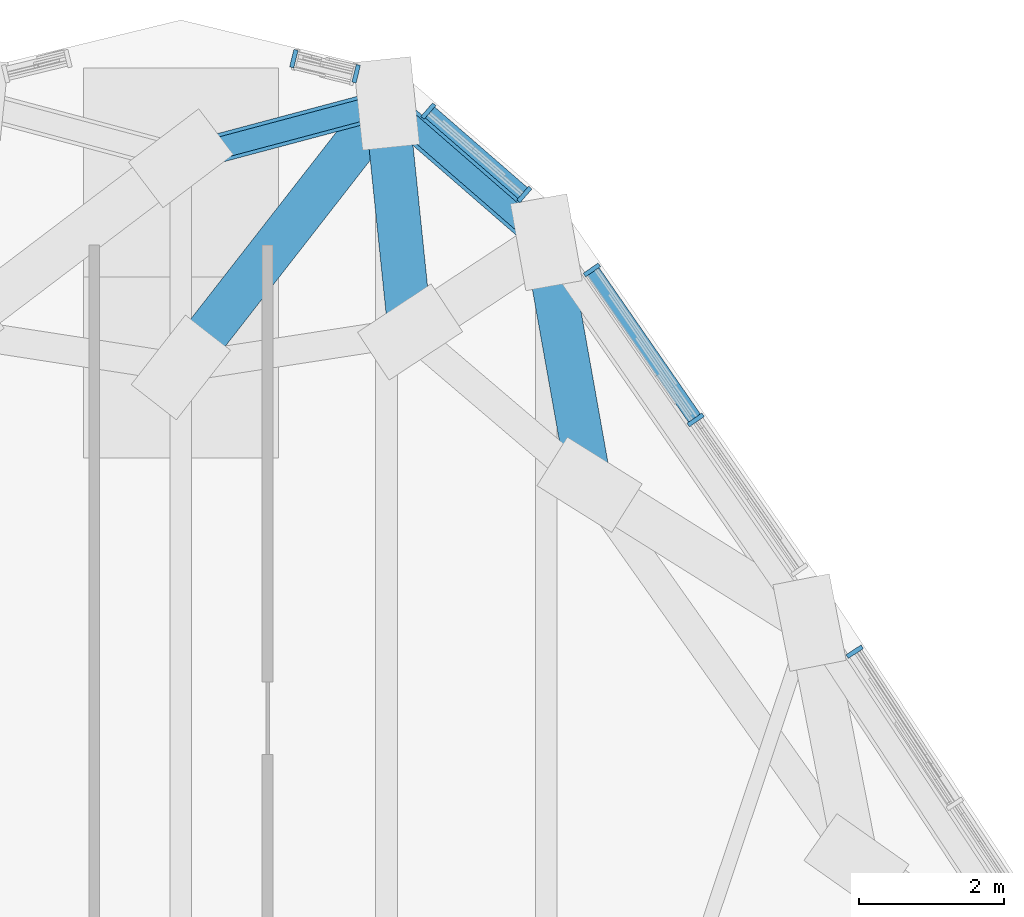
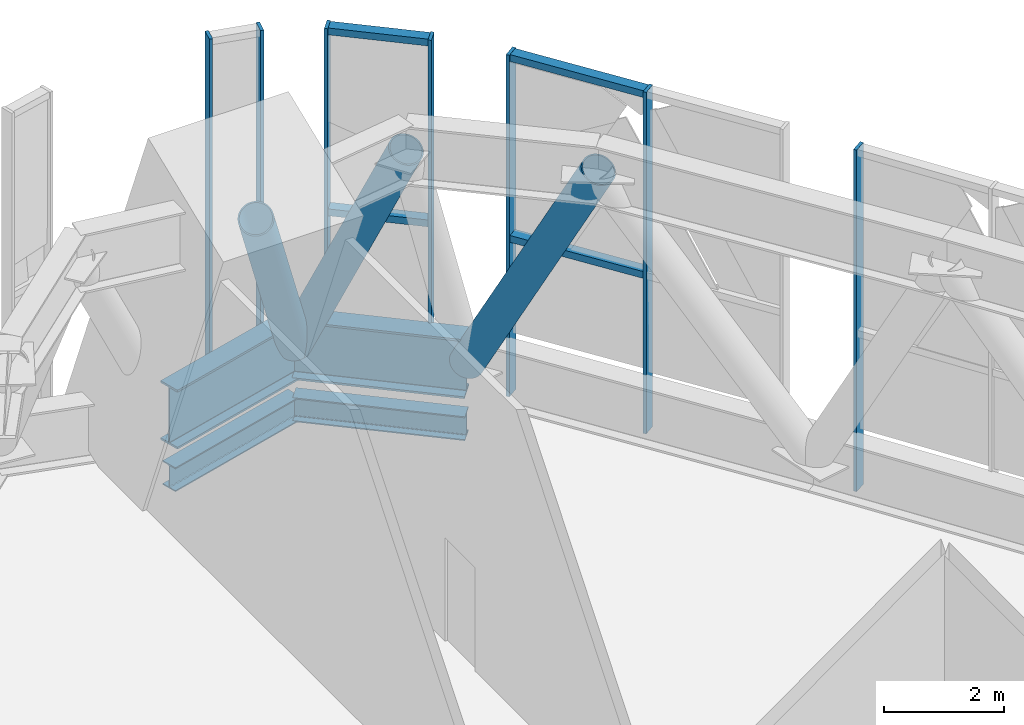
# One storey, part 10 of 33: 16 members, 2 beams, 2 elements without a shape of their own.
"""IFC4 building model written with IfcOpenShell, lengths in metres."""

import ifcopenshell
import ifcopenshell.guid

model = None  # the IFC model being written
_history = None  # IfcOwnerHistory: only IFC2X3 demands one
_inside = {}  # id of a spatial element -> (the spatial element, [elements in it])
_under = {}  # id of a project, library or spatial element -> (it, [spatial elements below it])
_declared = {}  # id of a project -> (the project, [libraries it declares])
_typed = {}  # id of a type object -> (the type object, [elements of that type])
_made_of = {}  # id of a material, layer set ... -> (it, [elements and type objects made of it])


def new_model(schema):
    """Start an empty IFC model of exactly this schema.

    Asked for "IFC4X3", IfcOpenShell would pick the latest addendum, in which some entities
    have other attributes; the version numbers below select the first issue.
    IFC2X3 requires an IfcOwnerHistory on every rooted entity: one is made here for all.
    """
    global model, _history
    if schema == "IFC4X3":
        model = ifcopenshell.file(schema_version=(4, 3, 0, 0))
    else:
        model = ifcopenshell.file(schema=schema)
    _inside.clear()
    _under.clear()
    _declared.clear()
    _typed.clear()
    _made_of.clear()
    _history = None
    if model.schema == "IFC2X3":
        org = make("IfcOrganization", Name="unknown")
        user = make(
            "IfcPersonAndOrganization",
            ThePerson=make("IfcPerson", FamilyName="unknown"),
            TheOrganization=org,
        )
        app = make(
            "IfcApplication",
            ApplicationDeveloper=org,
            Version="unknown",
            ApplicationFullName="unknown",
            ApplicationIdentifier="unknown",
        )
        _history = make(
            "IfcOwnerHistory",
            OwningUser=user,
            OwningApplication=app,
            ChangeAction="ADDED",
            CreationDate=0,
        )
    return model


def make(cls, **values):
    """One entity of the class cls with the attributes given. An attribute that is None is left unset."""
    return model.create_entity(
        cls, **{name: value for name, value in values.items() if value is not None}
    )


def rooted(cls, **values):
    """An entity with a GlobalId (a new one), such as an element, a storey or a relation."""
    return make(cls, GlobalId=ifcopenshell.guid.new(), OwnerHistory=_history, **values)


def si_unit(unit_type, name, prefix=None):
    """IfcSIUnit, for example si_unit("LENGTHUNIT", "METRE", prefix="MILLI")."""
    return make("IfcSIUnit", UnitType=unit_type, Prefix=prefix, Name=name)


def assignment(units):
    """IfcUnitAssignment: the units of a project."""
    return None if units is None else make("IfcUnitAssignment", Units=units)


def point(xyz):
    """IfcCartesianPoint."""
    return None if xyz is None else make("IfcCartesianPoint", Coordinates=xyz)


def direction(xyz):
    """IfcDirection."""
    return None if xyz is None else make("IfcDirection", DirectionRatios=xyz)


def frame(location, z_axis=None, x_axis=None):
    """IfcAxis2Placement3D, a coordinate frame: its origin and axes. An axis left out is left unset."""
    return make(
        "IfcAxis2Placement3D",
        Location=point(location),
        Axis=direction(z_axis),
        RefDirection=direction(x_axis),
    )


def frame_2d(location, x_axis=None):
    """IfcAxis2Placement2D, a coordinate frame in the plane: its origin and x axis."""
    return make(
        "IfcAxis2Placement2D", Location=point(location), RefDirection=direction(x_axis)
    )


def origin():
    """The frame at (0, 0, 0) with its axes left unset."""
    return frame((0.0, 0.0, 0.0))


def origin_2d():
    """The frame at (0, 0) in the plane with its x axis left unset."""
    return frame_2d((0.0, 0.0))


def place(relative_to, where):
    """IfcLocalPlacement: puts the frame where relative to a parent placement (None: the world)."""
    return make(
        "IfcLocalPlacement", PlacementRelTo=relative_to, RelativePlacement=where
    )


def context(
    kind, dimensions, precision=None, world=None, true_north=None, identifier=None
):
    """IfcGeometricRepresentationContext, for example the 3D "Model" context."""
    return make(
        "IfcGeometricRepresentationContext",
        ContextIdentifier=identifier,
        ContextType=kind,
        CoordinateSpaceDimension=dimensions,
        Precision=precision,
        WorldCoordinateSystem=world,
        TrueNorth=true_north,
    )


def subcontext(parent, identifier, kind, view, scale=None):
    """IfcGeometricRepresentationSubContext, for example "Body" below "Model"."""
    return make(
        "IfcGeometricRepresentationSubContext",
        ContextIdentifier=identifier,
        ContextType=kind,
        ParentContext=parent,
        TargetScale=scale,
        TargetView=view,
    )


def project(units=None, contexts=None):
    """IfcProject with its units and contexts."""
    return rooted(
        "IfcProject",
        Name="project",
        RepresentationContexts=contexts,
        UnitsInContext=assignment(units),
    )


def spatial(cls, under=None, at=None, **own):
    """A site, building, storey or space (cls), placed at a placement, below another one or the project."""
    s = rooted(cls, ObjectPlacement=at, **own)
    if under is not None:
        _under.setdefault(under.id(), (under, []))[1].append(s)
    return s


def profile(cls, at=None, kind="AREA", **sizes):
    """A parametric profile (cls). Its sizes go by their IFC names, for example OverallWidth=200.0."""
    return make(cls, ProfileType=kind, Position=at, **sizes)


def rectangle(**sizes):
    """IfcRectangleProfileDef."""
    return profile("IfcRectangleProfileDef", **sizes)


def hollow_circle(**sizes):
    """IfcCircleHollowProfileDef."""
    return profile("IfcCircleHollowProfileDef", **sizes)


def i_section(**sizes):
    """IfcIShapeProfileDef."""
    return profile("IfcIShapeProfileDef", **sizes)


def extrude(swept, where, along, depth):
    """IfcExtrudedAreaSolid: the profile swept, set in the frame where, extruded along a direction by depth."""
    return make(
        "IfcExtrudedAreaSolid",
        SweptArea=swept,
        Position=where,
        ExtrudedDirection=direction(along),
        Depth=depth,
    )


def shape(context_of_items, identifier, shape_type, items):
    """IfcShapeRepresentation: the items that make up one representation, for example the "Body"."""
    return make(
        "IfcShapeRepresentation",
        ContextOfItems=context_of_items,
        RepresentationIdentifier=identifier,
        RepresentationType=shape_type,
        Items=items,
    )


def material(Name=None, Category=None):
    """IfcMaterial."""
    return make("IfcMaterial", Name=Name, Category=Category)


def material_profile(
    of_material, cross_section, Name=None, Category=None, Priority=None
):
    """IfcMaterialProfile: a cross section and its material."""
    return make(
        "IfcMaterialProfile",
        Name=Name,
        Material=of_material,
        Profile=cross_section,
        Priority=Priority,
        Category=Category,
    )


def profile_set(profiles, Name=None, composite=None):
    """IfcMaterialProfileSet."""
    return make(
        "IfcMaterialProfileSet",
        Name=Name,
        MaterialProfiles=profiles,
        CompositeProfile=composite,
    )


def made_of(thing, what):
    """Note that an element or type object is made of a material, layer set ...; save() writes the relation."""
    if what is not None:
        _made_of.setdefault(what.id(), (what, []))[1].append(thing)
    return thing


def type_object(cls, material=None, **own):
    """A type object (cls), such as IfcWallType, which elements share."""
    return made_of(rooted(cls, **own), material)


def element(
    cls,
    number,
    at=None,
    inside=None,
    cuts=None,
    type_object=None,
    material=None,
    context=None,
    identifier="Body",
    shape_type=None,
    held_by="IfcProductDefinitionShape",
    body=None,
    shapes=None,
    **own,
):
    """One element of the class cls, such as IfcWall. Its Tag is "e" and its number.

    at: its placement. inside: the storey or other place that contains it. cuts: it is an
    opening in that element (IfcRelVoidsElement). A single representation is given by context,
    identifier, shape_type and body (its items); several are given by shapes. held_by: the class
    of the entity that holds the representations. save() writes the other relations.
    """
    e = rooted(cls, Tag="e%d" % number, ObjectPlacement=at, **own)
    if body is not None:
        shapes = [shape(context, identifier, shape_type, body)]
    if shapes is not None:
        e.Representation = make(held_by, Representations=shapes)
    if inside is not None:
        _inside.setdefault(inside.id(), (inside, []))[1].append(e)
    if cuts is not None:
        rooted(
            "IfcRelVoidsElement", RelatingBuildingElement=cuts, RelatedOpeningElement=e
        )
    if type_object is not None:
        _typed.setdefault(type_object.id(), (type_object, []))[1].append(e)
    return made_of(e, material)


def aggregate(whole, parts):
    """IfcRelAggregates: a whole, such as a stair, and the parts it consists of."""
    return rooted("IfcRelAggregates", RelatingObject=whole, RelatedObjects=parts)


def save(model, path):
    """Write the relations noted so far, then the file.

    IfcRelAggregates (storeys below a building ...), IfcRelContainedInSpatialStructure (elements
    in a storey), IfcRelDefinesByType, IfcRelAssociatesMaterial and IfcRelDeclares: one each for
    every whole, place, type object, material and project.
    """
    for whole, parts in _under.values():
        aggregate(whole, parts)
    for where, things in _inside.values():
        rooted(
            "IfcRelContainedInSpatialStructure",
            RelatedElements=things,
            RelatingStructure=where,
        )
    for kind, things in _typed.values():
        rooted("IfcRelDefinesByType", RelatedObjects=things, RelatingType=kind)
    for what, things in _made_of.values():
        rooted("IfcRelAssociatesMaterial", RelatedObjects=things, RelatingMaterial=what)
    for by, libraries in _declared.values():
        rooted("IfcRelDeclares", RelatingContext=by, RelatedDefinitions=libraries)
    model.write(path)


model = new_model("IFC4")

# Units and contexts
model_context = context("Model", 3, precision=1e-05, world=origin(), true_north=direction((0.0, 1.0)))
body_context = subcontext(model_context, "Body", "Model", "MODEL_VIEW")
ifc_project = project(units=[si_unit("LENGTHUNIT", "METRE"), si_unit("AREAUNIT", "SQUARE_METRE"), si_unit("VOLUMEUNIT", "CUBIC_METRE"), si_unit("PLANEANGLEUNIT", "RADIAN"), si_unit("MASSUNIT", "GRAM", prefix="KILO")], contexts=[model_context])

# Site, building, storey
site_placement = place(None, origin())
site = spatial("IfcSite", under=ifc_project, at=site_placement, CompositionType="ELEMENT")
building_placement = place(site_placement, origin())
building = spatial("IfcBuilding", under=site, at=building_placement, Name="Mestral Congress Tower", CompositionType="ELEMENT")
storey_placement = place(building_placement, frame((0.0, 0.0, 134.39990234375)))
storey = spatial("IfcBuildingStorey", under=building, at=storey_placement, Name="L32", CompositionType="ELEMENT", Elevation=134.39990234375)

# Members
ifc_material_1 = material(Name="Steel S355", Category="steel")
ifc_material_profile_1 = material_profile(ifc_material_1, i_section(OverallWidth=0.39990234375, OverallDepth=1.199951171875, WebThickness=0.02001953125, FlangeThickness=0.0400390625, FilletRadius=0.010009765625, at=origin_2d()), Name="WPG 1200")
ifc_profile_set_1 = profile_set([ifc_material_profile_1], Name="Steel S355")
member_type_1 = type_object("IfcMemberType", Name="Belt chord WPG 1200 S355", PredefinedType="CHORD", material=ifc_profile_set_1)
member_1_placement = place(storey_placement, frame((5.056396484375, 32.4365234375, 0.60009765625), z_axis=(-0.754932095534, 0.6558029667, 0.0), x_axis=(-0.6558029667, -0.754932095534, 0.0)))
element("IfcMember", 1, at=member_1_placement, inside=storey, type_object=member_type_1, Name="MB-L32-BC2-E08", PredefinedType="CHORD", context=body_context, shape_type="SweptSolid", body=[
    extrude(i_section(OverallWidth=0.39990234375, OverallDepth=1.199951171875, WebThickness=0.02001953125, FlangeThickness=0.0400390625, FilletRadius=0.010009765625, at=origin_2d()), origin(), (0.0, 0.0, 1.0), 2.92822265625),
])
member_2_placement = place(storey_placement, frame((2.845703125, 34.35693359375, 0.60009765625), z_axis=(-0.96626107679, -0.257564616128, 0.0), x_axis=(0.257564616128, -0.96626107679, 0.0)))
element("IfcMember", 2, at=member_2_placement, inside=storey, type_object=member_type_1, Name="MB-L32-BC2-N1", PredefinedType="CHORD", context=body_context, shape_type="SweptSolid", body=[
    extrude(i_section(OverallWidth=0.39990234375, OverallDepth=1.199951171875, WebThickness=0.02001953125, FlangeThickness=0.0400390625, FilletRadius=0.010009765625, at=origin_2d()), origin(), (0.0, 0.0, 1.0), 2.945068359375),
])
ifc_material_profile_2 = material_profile(ifc_material_1, hollow_circle(Radius=0.304931640625, WallThickness=0.02490234375, at=origin_2d()), Name="CHS 610x25")
ifc_profile_set_2 = profile_set([ifc_material_profile_2], Name="Steel S355")
member_type_2 = type_object("IfcMemberType", Name="Belt diagonal CHS 610x25 S355", PredefinedType="BRACE", material=ifc_profile_set_2)
member_3_placement = place(storey_placement, frame((5.056396484375, 32.4365234375, 0.60009765625), z_axis=(0.0894475391, -0.502023856645, 0.860215778225), x_axis=(0.984495232552, 0.175411336815, 0.0)))
element("IfcMember", 3, at=member_3_placement, inside=storey, type_object=member_type_2, Name="MD-L32-BD2-E08.E07", PredefinedType="BRACE", context=body_context, shape_type="SweptSolid", body=[
    extrude(hollow_circle(Radius=0.304931640625, WallThickness=0.02490234375, at=origin_2d()), origin(), (0.0, 0.0, 1.0), 6.684326171875),
])
member_4_placement = place(storey_placement, frame((2.845703125, 34.35693359375, 0.60009765625), z_axis=(0.049568940707, -0.48130921213, 0.875148194557), x_axis=(0.994738581282, 0.102445863308, 0.0)))
element("IfcMember", 4, at=member_4_placement, inside=storey, type_object=member_type_2, Name="MD-L32-BD2-N1.N1", PredefinedType="BRACE", context=body_context, shape_type="SweptSolid", body=[
    extrude(hollow_circle(Radius=0.304931640625, WallThickness=0.02490234375, at=origin_2d()), origin(), (0.0, 0.0, 1.0), 6.5703125),
])
member_5_placement = place(storey_placement, frame((2.845703125, 34.35693359375, 0.60009765625), z_axis=(-0.385457558004, -0.494785173546, 0.778851785012), x_axis=(0.788869338222, -0.61456095484, 0.0)))
element("IfcMember", 5, at=member_5_placement, inside=storey, type_object=member_type_2, Name="MD-L32-BD2-N1.N", PredefinedType="BRACE", context=body_context, shape_type="SweptSolid", body=[
    extrude(hollow_circle(Radius=0.304931640625, WallThickness=0.02490234375, at=origin_2d()), origin(), (0.0, 0.0, 1.0), 7.382568359375),
])

# Curtain wall, members
ifc_material_2 = material(Name="Clear low-emissivity double glazing", Category="glass")
curtain_wall_type = type_object("IfcCurtainWallType", Name="Facade sky lobby curtain wall", PredefinedType="USERDEFINED", material=ifc_material_2)
placement = place(storey_placement, origin())
curtain_wall_1 = element("IfcCurtainWall", 6, at=placement, inside=storey, type_object=curtain_wall_type, Name="Facade sky lobby curtain wall face 2", ObjectType="CURTAIN WALL", PredefinedType="USERDEFINED")
ifc_material_3 = material(Name="Anodised aluminium", Category="aluminium")
ifc_material_profile_3 = material_profile(ifc_material_3, rectangle(XDim=0.25, YDim=0.06005859375, at=origin_2d()), Name="CW1 mullion 250 x 60")
ifc_profile_set_3 = profile_set([ifc_material_profile_3], Name="Anodised aluminium")
member_type_3 = type_object("IfcMemberType", Name="Facade sky lobby curtain wall mullion", PredefinedType="MULLION", material=ifc_profile_set_3)
member_6_placement = place(storey_placement, frame((9.322998046875, 26.771240234375, 0.0), z_axis=(0.0, 0.0, 1.0), x_axis=(0.835326011384, 0.549754904213, 0.0)))
member_6 = element("IfcMember", 7, at=member_6_placement, type_object=member_type_3, Name="Facade sky lobby curtain wall mullion", PredefinedType="MULLION", context=body_context, shape_type="SweptSolid", body=[
    extrude(rectangle(XDim=0.25, YDim=0.06005859375, at=origin_2d()), origin(), (0.0, 0.0, 1.0), 6.9501953125),
])
member_7_placement = place(storey_placement, frame((7.122314453125, 29.978759765625, 0.0), z_axis=(0.0, 0.0, 1.0), x_axis=(0.822242393198, 0.569137458641, 0.0)))
member_7 = element("IfcMember", 8, at=member_7_placement, type_object=member_type_3, Name="Facade sky lobby curtain wall mullion", PredefinedType="MULLION", context=body_context, shape_type="SweptSolid", body=[
    extrude(rectangle(XDim=0.25, YDim=0.06005859375, at=origin_2d()), origin(), (0.0, 0.0, 1.0), 6.9501953125),
])
member_8_placement = place(storey_placement, frame((5.686279296875, 32.053466796875, 0.0), z_axis=(0.0, 0.0, 1.0), x_axis=(0.822242393198, 0.569137458641, 0.0)))
member_8 = element("IfcMember", 9, at=member_8_placement, type_object=member_type_3, Name="Facade sky lobby curtain wall mullion", PredefinedType="MULLION", context=body_context, shape_type="SweptSolid", body=[
    extrude(rectangle(XDim=0.25, YDim=0.06005859375, at=origin_2d()), origin(), (0.0, 0.0, 1.0), 6.9501953125),
])

curtain_wall_2 = element("IfcCurtainWall", 10, at=placement, inside=storey, type_object=curtain_wall_type, Name="Facade sky lobby curtain wall corner 2", ObjectType="CURTAIN WALL", PredefinedType="USERDEFINED")
member_9_placement = place(storey_placement, frame((4.752197265625, 33.097900390625, 0.0), z_axis=(0.0, 0.0, 1.0), x_axis=(0.655810039344, 0.754925951532, 0.0)))
member_9 = element("IfcMember", 11, at=member_9_placement, type_object=member_type_3, Name="Facade sky lobby curtain wall mullion", PredefinedType="MULLION", context=body_context, shape_type="SweptSolid", body=[
    extrude(rectangle(XDim=0.25, YDim=0.06005859375, at=origin_2d()), origin(), (0.0, 0.0, 1.0), 6.9501953125),
])
member_10_placement = place(storey_placement, frame((3.424072265625, 34.251708984375, 0.0), z_axis=(0.0, 0.0, 1.0), x_axis=(0.655810039344, 0.754925951532, 0.0)))
member_10 = element("IfcMember", 12, at=member_10_placement, type_object=member_type_3, Name="Facade sky lobby curtain wall mullion", PredefinedType="MULLION", context=body_context, shape_type="SweptSolid", body=[
    extrude(rectangle(XDim=0.25, YDim=0.06005859375, at=origin_2d()), origin(), (0.0, 0.0, 1.0), 6.9501953125),
])
member_11_placement = place(storey_placement, frame((2.425048828125, 34.767822265625, 0.0), z_axis=(0.0, 0.0, 1.0), x_axis=(0.236153035314, 0.971715876124, 0.0)))
member_11 = element("IfcMember", 13, at=member_11_placement, type_object=member_type_3, Name="Facade sky lobby curtain wall mullion", PredefinedType="MULLION", context=body_context, shape_type="SweptSolid", body=[
    extrude(rectangle(XDim=0.25, YDim=0.06005859375, at=origin_2d()), origin(), (0.0, 0.0, 1.0), 6.9501953125),
])
member_12_placement = place(storey_placement, frame((1.56298828125, 34.977294921875, 0.0), z_axis=(0.0, 0.0, 1.0), x_axis=(0.236153035314, 0.971715876124, 0.0)))
member_12 = element("IfcMember", 14, at=member_12_placement, type_object=member_type_3, Name="Facade sky lobby curtain wall mullion", PredefinedType="MULLION", context=body_context, shape_type="SweptSolid", body=[
    extrude(rectangle(XDim=0.25, YDim=0.06005859375, at=origin_2d()), origin(), (0.0, 0.0, 1.0), 6.9501953125),
])

# Member
ifc_material_profile_4 = material_profile(ifc_material_3, rectangle(XDim=0.199951171875, YDim=0.139892578125, at=origin_2d()), Name="CW1 transom 200 x 140")
ifc_profile_set_4 = profile_set([ifc_material_profile_4], Name="Anodised aluminium")
member_type_4 = type_object("IfcMemberType", Name="Facade sky lobby curtain wall transom", PredefinedType="USERDEFINED", material=ifc_profile_set_4)
member_13_placement = place(storey_placement, frame((7.105224609375, 30.00341796875, 3.2001953125), z_axis=(-0.56911720375, 0.822256412803, 0.0), x_axis=(-0.822256412803, -0.56911720375, 0.0)))
member_13 = element("IfcMember", 15, at=member_13_placement, type_object=member_type_4, Name="Facade sky lobby curtain wall transom", ObjectType="TRANSOM", PredefinedType="USERDEFINED", context=body_context, shape_type="SweptSolid", body=[
    extrude(rectangle(XDim=0.199951171875, YDim=0.139892578125, at=origin_2d()), origin(), (0.0, 0.0, 1.0), 2.463134765625),
])

member_14_placement = place(storey_placement, frame((7.105224609375, 30.00341796875, 6.880126953125), z_axis=(-0.56911720375, 0.822256412803, 0.0), x_axis=(-0.822256412803, -0.56911720375, 0.0)))
member_14 = element("IfcMember", 16, at=member_14_placement, type_object=member_type_4, Name="Facade sky lobby curtain wall transom", ObjectType="TRANSOM", PredefinedType="USERDEFINED", context=body_context, shape_type="SweptSolid", body=[
    extrude(rectangle(XDim=0.199951171875, YDim=0.139892578125, at=origin_2d()), origin(), (0.0, 0.0, 1.0), 2.463134765625),
])

aggregate(curtain_wall_1, [member_6, member_7, member_8, member_13, member_14])

member_15_placement = place(storey_placement, frame((4.7294921875, 33.11767578125, 3.2001953125), z_axis=(-0.754868375989, 0.655876310695, 0.0), x_axis=(-0.655876310695, -0.754868375989, 0.0)))
member_15 = element("IfcMember", 17, at=member_15_placement, type_object=member_type_4, Name="Facade sky lobby curtain wall transom", ObjectType="TRANSOM", PredefinedType="USERDEFINED", context=body_context, shape_type="SweptSolid", body=[
    extrude(rectangle(XDim=0.199951171875, YDim=0.139892578125, at=origin_2d()), origin(), (0.0, 0.0, 1.0), 1.69921875),
])

member_16_placement = place(storey_placement, frame((4.7294921875, 33.11767578125, 6.880126953125), z_axis=(-0.754868375989, 0.655876310695, 0.0), x_axis=(-0.655876310695, -0.754868375989, 0.0)))
member_16 = element("IfcMember", 18, at=member_16_placement, type_object=member_type_4, Name="Facade sky lobby curtain wall transom", ObjectType="TRANSOM", PredefinedType="USERDEFINED", context=body_context, shape_type="SweptSolid", body=[
    extrude(rectangle(XDim=0.199951171875, YDim=0.139892578125, at=origin_2d()), origin(), (0.0, 0.0, 1.0), 1.69921875),
])

aggregate(curtain_wall_2, [member_9, member_10, member_15, member_16, member_11, member_12])

# Beams
ifc_material_profile_5 = material_profile(ifc_material_1, i_section(OverallWidth=0.300048828125, OverallDepth=0.489990234375, WebThickness=0.011962890625, FlangeThickness=0.02294921875, FilletRadius=0.027099609375, at=origin_2d()), Name="HEA 500")
ifc_profile_set_5 = profile_set([ifc_material_profile_5], Name="Steel S355")
beam_type = type_object("IfcBeamType", Name="Spandrel beam HEA 500 S355", PredefinedType="BEAM", material=ifc_profile_set_5)
beam_1_placement = place(storey_placement, frame((5.056396484375, 32.4365234375, -0.64501953125), z_axis=(-0.754932095534, 0.6558029667, 0.0), x_axis=(-0.6558029667, -0.754932095534, 0.0)))
element("IfcBeam", 19, at=beam_1_placement, inside=storey, type_object=beam_type, Name="SP-L32-SB2-E08", PredefinedType="BEAM", context=body_context, shape_type="SweptSolid", body=[
    extrude(i_section(OverallWidth=0.300048828125, OverallDepth=0.489990234375, WebThickness=0.011962890625, FlangeThickness=0.02294921875, FilletRadius=0.027099609375, at=origin_2d()), origin(), (0.0, 0.0, 1.0), 2.92822265625),
])
beam_2_placement = place(storey_placement, frame((2.845703125, 34.35693359375, -0.64501953125), z_axis=(-0.96626107679, -0.257564616128, 0.0), x_axis=(0.257564616128, -0.96626107679, 0.0)))
element("IfcBeam", 20, at=beam_2_placement, inside=storey, type_object=beam_type, Name="SP-L32-SB2-N1", PredefinedType="BEAM", context=body_context, shape_type="SweptSolid", body=[
    extrude(i_section(OverallWidth=0.300048828125, OverallDepth=0.489990234375, WebThickness=0.011962890625, FlangeThickness=0.02294921875, FilletRadius=0.027099609375, at=origin_2d()), origin(), (0.0, 0.0, 1.0), 2.945068359375),
])

save(model, "model.ifc")
